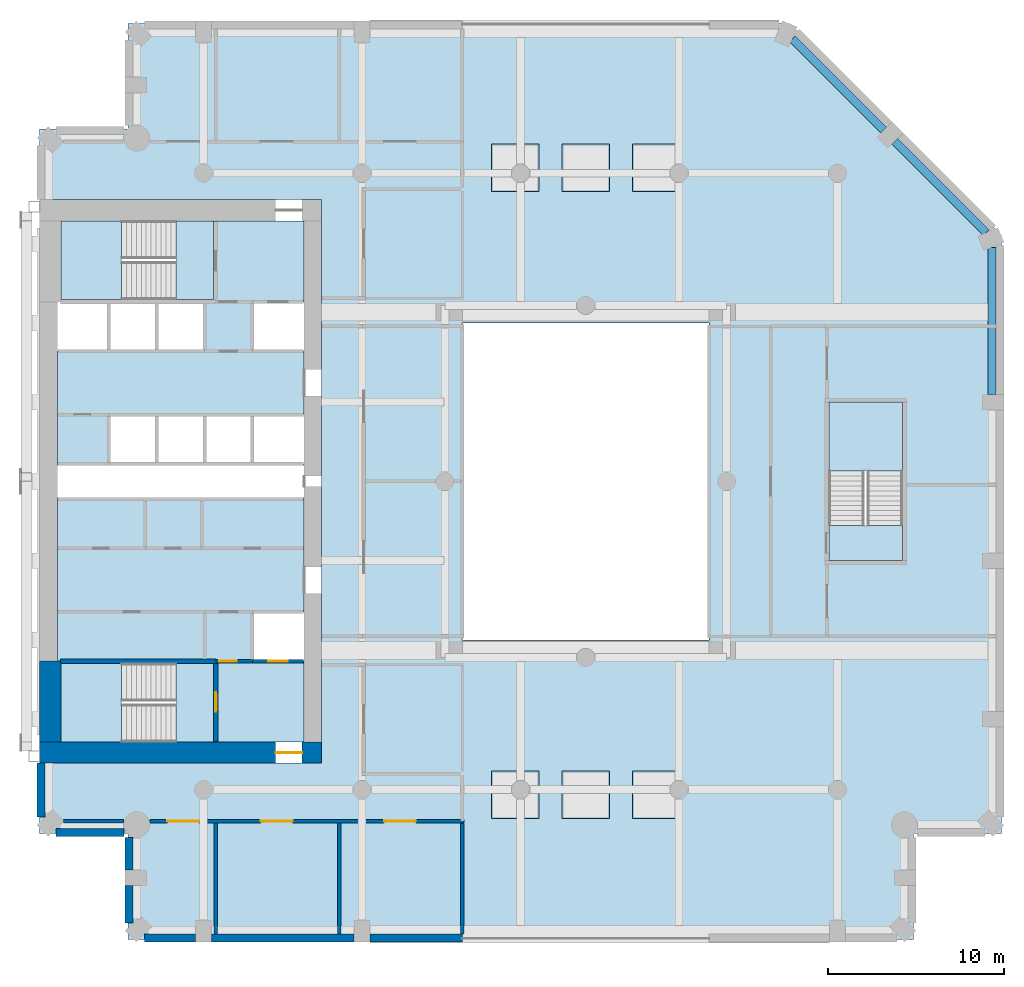
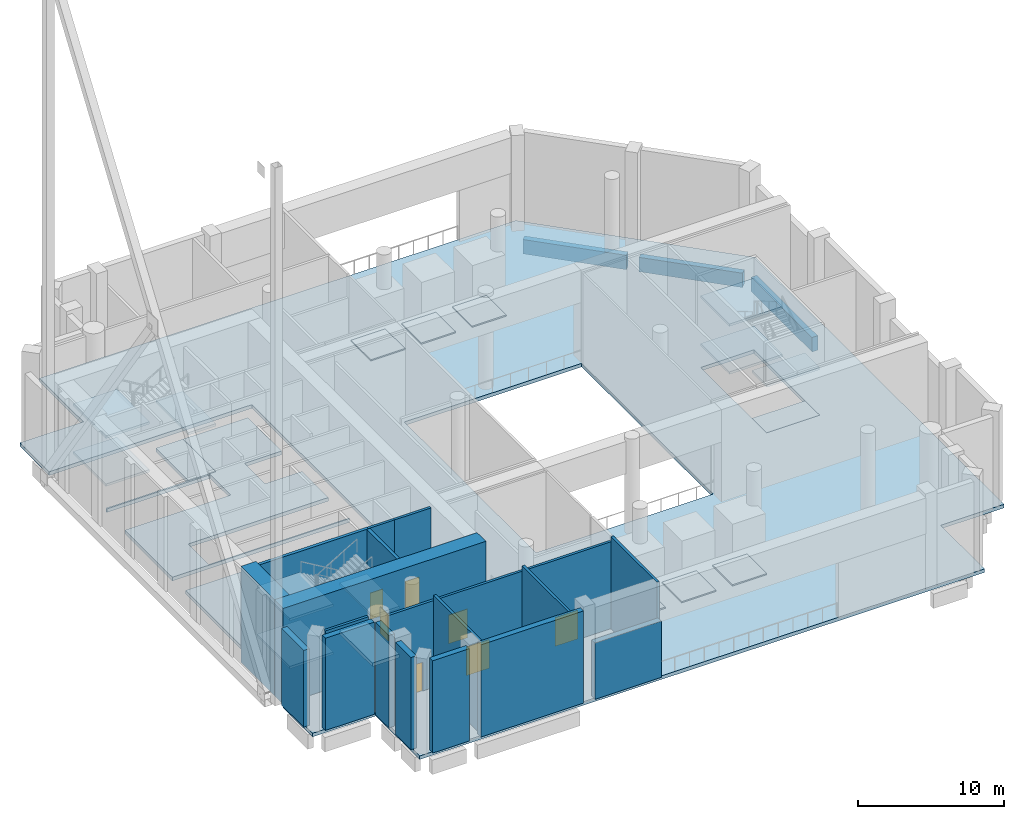
# One storey, part 2 of 14: 18 walls, 15 slabs, 7 doors, 6 plates, 3 beams, 7 openings, 3 elements without a shape of their own.
"""IFC4 building model written with IfcOpenShell, lengths in metres."""

import ifcopenshell
import ifcopenshell.guid

model = None  # the IFC model being written
_history = None  # IfcOwnerHistory: only IFC2X3 demands one
_inside = {}  # id of a spatial element -> (the spatial element, [elements in it])
_under = {}  # id of a project, library or spatial element -> (it, [spatial elements below it])
_declared = {}  # id of a project -> (the project, [libraries it declares])
_typed = {}  # id of a type object -> (the type object, [elements of that type])
_made_of = {}  # id of a material, layer set ... -> (it, [elements and type objects made of it])


def new_model(schema):
    """Start an empty IFC model of exactly this schema.

    Asked for "IFC4X3", IfcOpenShell would pick the latest addendum, in which some entities
    have other attributes; the version numbers below select the first issue.
    IFC2X3 requires an IfcOwnerHistory on every rooted entity: one is made here for all.
    """
    global model, _history
    if schema == "IFC4X3":
        model = ifcopenshell.file(schema_version=(4, 3, 0, 0))
    else:
        model = ifcopenshell.file(schema=schema)
    _inside.clear()
    _under.clear()
    _declared.clear()
    _typed.clear()
    _made_of.clear()
    _history = None
    if model.schema == "IFC2X3":
        org = make("IfcOrganization", Name="unknown")
        user = make(
            "IfcPersonAndOrganization",
            ThePerson=make("IfcPerson", FamilyName="unknown"),
            TheOrganization=org,
        )
        app = make(
            "IfcApplication",
            ApplicationDeveloper=org,
            Version="unknown",
            ApplicationFullName="unknown",
            ApplicationIdentifier="unknown",
        )
        _history = make(
            "IfcOwnerHistory",
            OwningUser=user,
            OwningApplication=app,
            ChangeAction="ADDED",
            CreationDate=0,
        )
    return model


def make(cls, **values):
    """One entity of the class cls with the attributes given. An attribute that is None is left unset."""
    return model.create_entity(
        cls, **{name: value for name, value in values.items() if value is not None}
    )


def rooted(cls, **values):
    """An entity with a GlobalId (a new one), such as an element, a storey or a relation."""
    return make(cls, GlobalId=ifcopenshell.guid.new(), OwnerHistory=_history, **values)


def si_unit(unit_type, name, prefix=None):
    """IfcSIUnit, for example si_unit("LENGTHUNIT", "METRE", prefix="MILLI")."""
    return make("IfcSIUnit", UnitType=unit_type, Prefix=prefix, Name=name)


def assignment(units):
    """IfcUnitAssignment: the units of a project."""
    return None if units is None else make("IfcUnitAssignment", Units=units)


def point(xyz):
    """IfcCartesianPoint."""
    return None if xyz is None else make("IfcCartesianPoint", Coordinates=xyz)


def direction(xyz):
    """IfcDirection."""
    return None if xyz is None else make("IfcDirection", DirectionRatios=xyz)


def frame(location, z_axis=None, x_axis=None):
    """IfcAxis2Placement3D, a coordinate frame: its origin and axes. An axis left out is left unset."""
    return make(
        "IfcAxis2Placement3D",
        Location=point(location),
        Axis=direction(z_axis),
        RefDirection=direction(x_axis),
    )


def frame_2d(location, x_axis=None):
    """IfcAxis2Placement2D, a coordinate frame in the plane: its origin and x axis."""
    return make(
        "IfcAxis2Placement2D", Location=point(location), RefDirection=direction(x_axis)
    )


def origin():
    """The frame at (0, 0, 0) with its axes left unset."""
    return frame((0.0, 0.0, 0.0))


def origin_2d():
    """The frame at (0, 0) in the plane with its x axis left unset."""
    return frame_2d((0.0, 0.0))


def place(relative_to, where):
    """IfcLocalPlacement: puts the frame where relative to a parent placement (None: the world)."""
    return make(
        "IfcLocalPlacement", PlacementRelTo=relative_to, RelativePlacement=where
    )


def context(
    kind, dimensions, precision=None, world=None, true_north=None, identifier=None
):
    """IfcGeometricRepresentationContext, for example the 3D "Model" context."""
    return make(
        "IfcGeometricRepresentationContext",
        ContextIdentifier=identifier,
        ContextType=kind,
        CoordinateSpaceDimension=dimensions,
        Precision=precision,
        WorldCoordinateSystem=world,
        TrueNorth=true_north,
    )


def subcontext(parent, identifier, kind, view, scale=None):
    """IfcGeometricRepresentationSubContext, for example "Body" below "Model"."""
    return make(
        "IfcGeometricRepresentationSubContext",
        ContextIdentifier=identifier,
        ContextType=kind,
        ParentContext=parent,
        TargetScale=scale,
        TargetView=view,
    )


def project(units=None, contexts=None):
    """IfcProject with its units and contexts."""
    return rooted(
        "IfcProject",
        Name="project",
        RepresentationContexts=contexts,
        UnitsInContext=assignment(units),
    )


def spatial(cls, under=None, at=None, **own):
    """A site, building, storey or space (cls), placed at a placement, below another one or the project."""
    s = rooted(cls, ObjectPlacement=at, **own)
    if under is not None:
        _under.setdefault(under.id(), (under, []))[1].append(s)
    return s


def polyline(points):
    """IfcPolyline through the points."""
    return make("IfcPolyline", Points=[point(p) for p in points])


def profile(cls, at=None, kind="AREA", **sizes):
    """A parametric profile (cls). Its sizes go by their IFC names, for example OverallWidth=200.0."""
    return make(cls, ProfileType=kind, Position=at, **sizes)


def rectangle(**sizes):
    """IfcRectangleProfileDef."""
    return profile("IfcRectangleProfileDef", **sizes)


def outline(outer, holes=None, kind="AREA"):
    """IfcArbitraryClosedProfileDef: a profile drawn as a closed curve; with holes, ...WithVoids."""
    if holes is None:
        return make("IfcArbitraryClosedProfileDef", ProfileType=kind, OuterCurve=outer)
    return make(
        "IfcArbitraryProfileDefWithVoids",
        ProfileType=kind,
        OuterCurve=outer,
        InnerCurves=holes,
    )


def extrude(swept, where, along, depth):
    """IfcExtrudedAreaSolid: the profile swept, set in the frame where, extruded along a direction by depth."""
    return make(
        "IfcExtrudedAreaSolid",
        SweptArea=swept,
        Position=where,
        ExtrudedDirection=direction(along),
        Depth=depth,
    )


def shape(context_of_items, identifier, shape_type, items):
    """IfcShapeRepresentation: the items that make up one representation, for example the "Body"."""
    return make(
        "IfcShapeRepresentation",
        ContextOfItems=context_of_items,
        RepresentationIdentifier=identifier,
        RepresentationType=shape_type,
        Items=items,
    )


def material(Name=None, Category=None):
    """IfcMaterial."""
    return make("IfcMaterial", Name=Name, Category=Category)


def layer(
    of_material, thickness, ventilated=None, Name=None, Category=None, Priority=None
):
    """IfcMaterialLayer: one layer of a wall or slab, of a material (None: an air gap)."""
    return make(
        "IfcMaterialLayer",
        Material=of_material,
        LayerThickness=thickness,
        IsVentilated=ventilated,
        Name=Name,
        Category=Category,
        Priority=Priority,
    )


def layer_set(layers, Name=None):
    """IfcMaterialLayerSet."""
    return make("IfcMaterialLayerSet", MaterialLayers=layers, LayerSetName=Name)


def material_profile(
    of_material, cross_section, Name=None, Category=None, Priority=None
):
    """IfcMaterialProfile: a cross section and its material."""
    return make(
        "IfcMaterialProfile",
        Name=Name,
        Material=of_material,
        Profile=cross_section,
        Priority=Priority,
        Category=Category,
    )


def profile_set(profiles, Name=None, composite=None):
    """IfcMaterialProfileSet."""
    return make(
        "IfcMaterialProfileSet",
        Name=Name,
        MaterialProfiles=profiles,
        CompositeProfile=composite,
    )


def made_of(thing, what):
    """Note that an element or type object is made of a material, layer set ...; save() writes the relation."""
    if what is not None:
        _made_of.setdefault(what.id(), (what, []))[1].append(thing)
    return thing


def type_object(cls, material=None, **own):
    """A type object (cls), such as IfcWallType, which elements share."""
    return made_of(rooted(cls, **own), material)


def element(
    cls,
    number,
    at=None,
    inside=None,
    cuts=None,
    type_object=None,
    material=None,
    context=None,
    identifier="Body",
    shape_type=None,
    held_by="IfcProductDefinitionShape",
    body=None,
    shapes=None,
    **own,
):
    """One element of the class cls, such as IfcWall. Its Tag is "e" and its number.

    at: its placement. inside: the storey or other place that contains it. cuts: it is an
    opening in that element (IfcRelVoidsElement). A single representation is given by context,
    identifier, shape_type and body (its items); several are given by shapes. held_by: the class
    of the entity that holds the representations. save() writes the other relations.
    """
    e = rooted(cls, Tag="e%d" % number, ObjectPlacement=at, **own)
    if body is not None:
        shapes = [shape(context, identifier, shape_type, body)]
    if shapes is not None:
        e.Representation = make(held_by, Representations=shapes)
    if inside is not None:
        _inside.setdefault(inside.id(), (inside, []))[1].append(e)
    if cuts is not None:
        rooted(
            "IfcRelVoidsElement", RelatingBuildingElement=cuts, RelatedOpeningElement=e
        )
    if type_object is not None:
        _typed.setdefault(type_object.id(), (type_object, []))[1].append(e)
    return made_of(e, material)


def fill(opening, filler):
    """IfcRelFillsElement: the door or window that sits in an opening."""
    return rooted(
        "IfcRelFillsElement",
        RelatingOpeningElement=opening,
        RelatedBuildingElement=filler,
    )


def aggregate(whole, parts):
    """IfcRelAggregates: a whole, such as a stair, and the parts it consists of."""
    return rooted("IfcRelAggregates", RelatingObject=whole, RelatedObjects=parts)


def save(model, path):
    """Write the relations noted so far, then the file.

    IfcRelAggregates (storeys below a building ...), IfcRelContainedInSpatialStructure (elements
    in a storey), IfcRelDefinesByType, IfcRelAssociatesMaterial and IfcRelDeclares: one each for
    every whole, place, type object, material and project.
    """
    for whole, parts in _under.values():
        aggregate(whole, parts)
    for where, things in _inside.values():
        rooted(
            "IfcRelContainedInSpatialStructure",
            RelatedElements=things,
            RelatingStructure=where,
        )
    for kind, things in _typed.values():
        rooted("IfcRelDefinesByType", RelatedObjects=things, RelatingType=kind)
    for what, things in _made_of.values():
        rooted("IfcRelAssociatesMaterial", RelatedObjects=things, RelatingMaterial=what)
    for by, libraries in _declared.values():
        rooted("IfcRelDeclares", RelatingContext=by, RelatedDefinitions=libraries)
    model.write(path)


model = new_model("IFC4")

# Units and contexts
model_context = context("Model", 3, precision=1e-05, world=origin(), true_north=direction((0.0, 1.0)))
body_context = subcontext(model_context, "Body", "Model", "MODEL_VIEW")
ifc_project = project(units=[si_unit("LENGTHUNIT", "METRE"), si_unit("AREAUNIT", "SQUARE_METRE"), si_unit("VOLUMEUNIT", "CUBIC_METRE"), si_unit("PLANEANGLEUNIT", "RADIAN"), si_unit("MASSUNIT", "GRAM", prefix="KILO")], contexts=[model_context])

# Site, building, storey
site_placement = place(None, origin())
site = spatial("IfcSite", under=ifc_project, at=site_placement, CompositionType="ELEMENT")
building_placement = place(site_placement, origin())
building = spatial("IfcBuilding", under=site, at=building_placement, Name="Cypress Arch Tower", CompositionType="ELEMENT")
storey_placement = place(building_placement, frame((0.0, 0.0, 152.5)))
storey = spatial("IfcBuildingStorey", under=building, at=storey_placement, Name="L33", CompositionType="ELEMENT", Elevation=152.5)

# Beams
ifc_material_1 = material(Name="Concrete C50/60", Category="concrete")
ifc_material_profile = material_profile(ifc_material_1, rectangle(XDim=0.449951171875, YDim=1.199951171875, at=origin_2d()), Name="RC 450x1200")
ifc_profile_set = profile_set([ifc_material_profile], Name="Concrete C50/60")
beam_type = type_object("IfcBeamType", Name="Spandrel beam RC 450x1200 Concrete C50/60", PredefinedType="SPANDREL", material=ifc_profile_set)
beam_placement = place(storey_placement, frame((24.074951171875, 4.949951171875, -1.550048828125), z_axis=(0.0, 1.0, 0.0), x_axis=(-1.0, 0.0, 0.0)))
element("IfcBeam", 1, at=beam_placement, inside=storey, type_object=beam_type, Name="Spandrel beam L33 BA06-3", PredefinedType="SPANDREL", context=body_context, shape_type="SweptSolid", body=[
    extrude(rectangle(XDim=0.449951171875, YDim=1.199951171875, at=origin_2d()), origin(), (0.0, 0.0, 1.0), 8.345458984375),
])
for number, where, z_axis, x_axis, name in (
    (2, (23.73046875, 14.126953125, -1.550048828125), (-0.707106781187, 0.707106781187, 0.0), (-0.707106781187, -0.707106781187, 0.0), "Spandrel beam L33 BA07-0"),
    (3, (17.91064453125, 19.947021484375, -1.550048828125), (-0.707106781187, 0.707106781187, 0.0), (-0.707106781187, -0.707106781187, 0.0), "Spandrel beam L33 BA07-1"),
):
    element("IfcBeam", number, at=place(storey_placement, frame(where, z_axis=z_axis, x_axis=x_axis)), inside=storey, type_object=beam_type, Name=name, PredefinedType="SPANDREL", context=body_context, shape_type="SweptSolid", body=[
        extrude(rectangle(XDim=0.449951171875, YDim=1.199951171875, at=origin_2d()), origin(), (0.0, 0.0, 1.0), 7.330810546875),
    ])

# Slabs
ifc_material_2 = material(Name="Concrete C40/50", Category="concrete")
ifc_layer_1 = layer(ifc_material_2, 0.300048828125)
ifc_layer_set_1 = layer_set([ifc_layer_1], Name="Core floor CF300")
slab_type_1 = type_object("IfcSlabType", Name="Core floor CF300", PredefinedType="FLOOR", material=ifc_layer_set_1)
slab_1_placement = place(storey_placement, frame((0.0, 0.0, -0.300048828125)))
element("IfcSlab", 4, at=slab_1_placement, inside=storey, type_object=slab_type_1, Name="Core floor", PredefinedType="FLOOR", context=body_context, shape_type="SweptSolid", body=[
    extrude(outline(polyline([(-28.800048828125, -10.199951171875), (-29.0, -10.199951171875), (-29.0, -0.89990234375), (-28.60009765625, -0.89990234375), (-15.39990234375, -0.89990234375), (-15.0, -0.89990234375), (-15.0, -7.39990234375), (-15.39990234375, -7.39990234375), (-17.919921875, -7.39990234375), (-17.919921875, -10.199951171875), (-15.39990234375, -10.199951171875), (-15.0, -10.199951171875), (-15.0, -14.800048828125), (-15.39990234375, -14.800048828125), (-20.125, -14.800048828125), (-20.125, -10.324951171875), (-22.27490234375, -10.324951171875), (-28.60009765625, -10.324951171875), (-28.800048828125, -10.324951171875), (-28.800048828125, -10.199951171875)])), origin(), (0.0, 0.0, 1.0), 0.300048828125),
])
slab_2_placement = place(storey_placement, frame((0.0, 0.0, -0.300048828125)))
element("IfcSlab", 5, at=slab_2_placement, inside=storey, type_object=slab_type_1, Name="Core floor", PredefinedType="FLOOR", context=body_context, shape_type="SweptSolid", body=[
    extrude(outline(polyline([(-22.27490234375, -10.324951171875), (-22.27490234375, -14.800048828125), (-20.125, -14.800048828125), (-20.125, -10.324951171875), (-22.27490234375, -10.324951171875)])), origin(), (0.0, 0.0, 1.0), 0.300048828125),
])
slab_3_placement = place(storey_placement, frame((0.0, 0.0, -0.300048828125)))
element("IfcSlab", 6, at=slab_3_placement, inside=storey, type_object=slab_type_1, Name="Core floor", PredefinedType="FLOOR", context=body_context, shape_type="SweptSolid", body=[
    extrude(outline(polyline([(-20.125, 14.800048828125), (-22.27490234375, 14.800048828125), (-22.27490234375, 10.324951171875), (-20.125, 10.324951171875), (-20.125, 14.800048828125)])), origin(), (0.0, 0.0, 1.0), 0.300048828125),
])
slab_4_placement = place(storey_placement, frame((0.0, 0.0, -0.300048828125)))
element("IfcSlab", 7, at=slab_4_placement, inside=storey, type_object=slab_type_1, Name="Stair floor landing", PredefinedType="FLOOR", context=body_context, shape_type="SweptSolid", body=[
    extrude(outline(polyline([(19.0, -4.5), (19.0, -2.5), (14.800048828125, -2.5), (14.800048828125, -4.5), (19.0, -4.5)])), origin(), (0.0, 0.0, 1.0), 0.300048828125),
])
slab_5_placement = place(storey_placement, frame((0.0, 0.0, -0.300048828125)))
element("IfcSlab", 8, at=slab_5_placement, inside=storey, type_object=slab_type_1, Name="Core floor", PredefinedType="FLOOR", context=body_context, shape_type="SweptSolid", body=[
    extrude(outline(polyline([(-20.639892578125, 10.199951171875), (-23.360107421875, 10.199951171875), (-26.080078125, 10.199951171875), (-28.60009765625, 10.199951171875), (-28.800048828125, 10.199951171875), (-28.800048828125, 10.324951171875), (-28.60009765625, 10.324951171875), (-22.27490234375, 10.324951171875), (-20.125, 10.324951171875), (-20.125, 14.800048828125), (-15.39990234375, 14.800048828125), (-15.0, 14.800048828125), (-15.0, 10.199951171875), (-15.39990234375, 10.199951171875), (-17.919921875, 10.199951171875), (-17.919921875, 7.39990234375), (-15.39990234375, 7.39990234375), (-15.0, 7.39990234375), (-15.0, 3.800048828125), (-15.39990234375, 3.800048828125), (-17.919921875, 3.800048828125), (-20.639892578125, 3.800048828125), (-23.360107421875, 3.800048828125), (-26.080078125, 3.800048828125), (-26.080078125, 1.5), (-26.080078125, 1.0), (-25.679931640625, 1.0), (-23.360107421875, 1.0), (-20.639892578125, 1.0), (-17.919921875, 1.0), (-15.39990234375, 1.0), (-15.0, 1.0), (-15.0, 0.89990234375), (-15.39990234375, 0.89990234375), (-25.679931640625, 0.89990234375), (-26.47998046875, 0.89990234375), (-28.60009765625, 0.89990234375), (-29.0, 0.89990234375), (-29.0, 1.5), (-29.0, 7.39990234375), (-28.60009765625, 7.39990234375), (-26.080078125, 7.39990234375), (-23.360107421875, 7.39990234375), (-20.639892578125, 7.39990234375), (-20.639892578125, 10.199951171875)])), origin(), (0.0, 0.0, 1.0), 0.300048828125),
])
ifc_material_3 = material(Name="Concrete C40/50", Category="concrete")
ifc_layer_2 = layer(ifc_material_3, 0.300048828125)
ifc_layer_set_2 = layer_set([ifc_layer_2], Name="PT flat slab 300 Concrete C40/50")
slab_type_2 = type_object("IfcSlabType", Name="PT flat slab 300 Concrete C40/50", PredefinedType="FLOOR", material=ifc_layer_set_2)
slab_6_placement = place(storey_placement, frame((0.0, 0.0, -0.300048828125)))
element("IfcSlab", 9, at=slab_6_placement, inside=storey, type_object=slab_type_2, Name="Floor slab L33", PredefinedType="FLOOR", context=body_context, shape_type="SweptSolid", body=[
    extrude(outline(polyline([(-30.0, 20.0), (-25.0, 20.0), (-25.0, 26.0), (12.60009765625, 26.0), (24.60009765625, 14.0), (24.60009765625, -20.0), (19.60009765625, -20.0), (19.60009765625, -26.0), (-25.0, -26.0), (-25.0, -20.0), (-30.0, -20.0), (-30.0, -16.0), (-14.0, -16.0), (-14.0, 16.0), (-30.0, 16.0), (-30.0, 20.0)]), holes=[polyline([(-6.0, -9.0), (8.0, -9.0), (8.0, 9.0), (-6.0, 9.0), (-6.0, -9.0)]), polyline([(14.800048828125, -4.5), (19.0, -4.5), (19.0, 4.5), (14.800048828125, 4.5), (14.800048828125, -4.5)])]), origin(), (0.0, 0.0, 1.0), 0.300048828125),
])

# Stair, slabs
ifc_material_4 = material(Name="Concrete C40/50", Category="concrete")
stair_type_1 = type_object("IfcStairType", Name="Exit stair ES1667-215", PredefinedType="HALF_TURN_STAIR", material=ifc_material_4)
stair_1_placement = place(storey_placement, origin())
stair_1 = element("IfcStair", 10, at=stair_1_placement, inside=storey, type_object=stair_type_1, Name="L33 Exit stair A", PredefinedType="HALF_TURN_STAIR")
ifc_material_5 = material(Name="Concrete C40/50", Category="concrete")
ifc_layer_3 = layer(ifc_material_5, 0.199951171875)
ifc_layer_set_3 = layer_set([ifc_layer_3], Name="Stair landing SL200")
slab_type_3 = type_object("IfcSlabType", Name="Stair landing SL200", PredefinedType="LANDING", material=ifc_layer_set_3)
slab_7_placement = place(storey_placement, frame((0.0, 0.0, 1.800048828125)))
slab_7 = element("IfcSlab", 11, at=slab_7_placement, type_object=slab_type_3, Name="A landing 1", PredefinedType="LANDING", context=body_context, shape_type="SweptSolid", body=[
    extrude(outline(polyline([(-25.35498046875, -10.324951171875), (-28.800048828125, -10.324951171875), (-28.800048828125, -14.800048828125), (-25.35498046875, -14.800048828125), (-25.35498046875, -10.324951171875)])), origin(), (0.0, 0.0, 1.0), 0.199951171875),
])
slab_8_placement = place(storey_placement, frame((0.0, 0.0, 3.800048828125)))
slab_8 = element("IfcSlab", 12, at=slab_8_placement, type_object=slab_type_3, Name="A landing 2", PredefinedType="LANDING", context=body_context, shape_type="SweptSolid", body=[
    extrude(outline(polyline([(-20.125, -10.324951171875), (-22.27490234375, -10.324951171875), (-22.27490234375, -14.800048828125), (-20.125, -14.800048828125), (-20.125, -10.324951171875)])), origin(), (0.0, 0.0, 1.0), 0.199951171875),
])
slab_9_placement = place(storey_placement, frame((0.0, 0.0, 5.800048828125)))
slab_9 = element("IfcSlab", 13, at=slab_9_placement, type_object=slab_type_3, Name="A landing 3", PredefinedType="LANDING", context=body_context, shape_type="SweptSolid", body=[
    extrude(outline(polyline([(-25.35498046875, -10.324951171875), (-28.800048828125, -10.324951171875), (-28.800048828125, -14.800048828125), (-25.35498046875, -14.800048828125), (-25.35498046875, -10.324951171875)])), origin(), (0.0, 0.0, 1.0), 0.199951171875),
])
aggregate(stair_1, [slab_7, slab_8, slab_9])

stair_2_placement = place(storey_placement, origin())
stair_2 = element("IfcStair", 14, at=stair_2_placement, inside=storey, type_object=stair_type_1, Name="L33 Exit stair B", PredefinedType="HALF_TURN_STAIR")
slab_10_placement = place(storey_placement, frame((0.0, 0.0, 1.800048828125)))
slab_10 = element("IfcSlab", 15, at=slab_10_placement, type_object=slab_type_3, Name="B landing 1", PredefinedType="LANDING", context=body_context, shape_type="SweptSolid", body=[
    extrude(outline(polyline([(-25.35498046875, 14.800048828125), (-28.800048828125, 14.800048828125), (-28.800048828125, 10.324951171875), (-25.35498046875, 10.324951171875), (-25.35498046875, 14.800048828125)])), origin(), (0.0, 0.0, 1.0), 0.199951171875),
])
slab_11_placement = place(storey_placement, frame((0.0, 0.0, 3.800048828125)))
slab_11 = element("IfcSlab", 16, at=slab_11_placement, type_object=slab_type_3, Name="B landing 2", PredefinedType="LANDING", context=body_context, shape_type="SweptSolid", body=[
    extrude(outline(polyline([(-20.125, 14.800048828125), (-22.27490234375, 14.800048828125), (-22.27490234375, 10.324951171875), (-20.125, 10.324951171875), (-20.125, 14.800048828125)])), origin(), (0.0, 0.0, 1.0), 0.199951171875),
])
slab_12_placement = place(storey_placement, frame((0.0, 0.0, 5.800048828125)))
slab_12 = element("IfcSlab", 17, at=slab_12_placement, type_object=slab_type_3, Name="B landing 3", PredefinedType="LANDING", context=body_context, shape_type="SweptSolid", body=[
    extrude(outline(polyline([(-25.35498046875, 14.800048828125), (-28.800048828125, 14.800048828125), (-28.800048828125, 10.324951171875), (-25.35498046875, 10.324951171875), (-25.35498046875, 14.800048828125)])), origin(), (0.0, 0.0, 1.0), 0.199951171875),
])
aggregate(stair_2, [slab_10, slab_11, slab_12])

ifc_material_6 = material(Name="Concrete C40/50", Category="concrete")
stair_type_2 = type_object("IfcStairType", Name="Exit stair ES1667-200", PredefinedType="HALF_TURN_STAIR", material=ifc_material_6)
stair_3_placement = place(storey_placement, origin())
stair_3 = element("IfcStair", 18, at=stair_3_placement, inside=storey, type_object=stair_type_2, Name="L33 Exit stair C", PredefinedType="HALF_TURN_STAIR")
slab_13_placement = place(storey_placement, frame((0.0, 0.0, 1.800048828125)))
slab_13 = element("IfcSlab", 19, at=slab_13_placement, type_object=slab_type_3, Name="C landing 1", PredefinedType="LANDING", context=body_context, shape_type="SweptSolid", body=[
    extrude(outline(polyline([(19.0, 0.580078125), (19.0, 4.5), (14.800048828125, 4.5), (14.800048828125, 0.580078125), (19.0, 0.580078125)])), origin(), (0.0, 0.0, 1.0), 0.199951171875),
])
slab_14_placement = place(storey_placement, frame((0.0, 0.0, 3.800048828125)))
slab_14 = element("IfcSlab", 20, at=slab_14_placement, type_object=slab_type_3, Name="C landing 2", PredefinedType="LANDING", context=body_context, shape_type="SweptSolid", body=[
    extrude(outline(polyline([(19.0, -4.5), (19.0, -2.5), (14.800048828125, -2.5), (14.800048828125, -4.5), (19.0, -4.5)])), origin(), (0.0, 0.0, 1.0), 0.199951171875),
])
slab_15_placement = place(storey_placement, frame((0.0, 0.0, 5.800048828125)))
slab_15 = element("IfcSlab", 21, at=slab_15_placement, type_object=slab_type_3, Name="C landing 3", PredefinedType="LANDING", context=body_context, shape_type="SweptSolid", body=[
    extrude(outline(polyline([(19.0, 0.580078125), (19.0, 4.5), (14.800048828125, 4.5), (14.800048828125, 0.580078125), (19.0, 0.580078125)])), origin(), (0.0, 0.0, 1.0), 0.199951171875),
])
aggregate(stair_3, [slab_13, slab_14, slab_15])

# Plates
ifc_material_7 = material(Name="Steel ASTM A572 Grade 50, galvanised", Category="steel")
ifc_layer_4 = layer(ifc_material_7, 0.10009765625)
ifc_layer_set_4 = layer_set([ifc_layer_4], Name="Turbine base plate TP2700")
plate_type = type_object("IfcPlateType", Name="Turbine base plate TP2700", PredefinedType="SHEET", material=ifc_layer_set_4)
for number, where, z_axis, x_axis, name in (
    (22, (-3.0, -17.800048828125, 0.0), (0.0, 0.0, 1.0), (1.0, 0.0, 0.0), "Turbine base plate S1"),
    (23, (1.0, -17.800048828125, 0.0), (0.0, 0.0, 1.0), (1.0, 0.0, 0.0), "Turbine base plate S2"),
    (24, (5.0, -17.800048828125, 0.0), (0.0, 0.0, 1.0), (1.0, 0.0, 0.0), "Turbine base plate S3"),
    (25, (-3.0, 17.800048828125, 0.0), (0.0, 0.0, 1.0), (1.0, 0.0, 0.0), "Turbine base plate N1"),
    (26, (1.0, 17.800048828125, 0.0), (0.0, 0.0, 1.0), (1.0, 0.0, 0.0), "Turbine base plate N2"),
    (27, (5.0, 17.800048828125, 0.0), (0.0, 0.0, 1.0), (1.0, 0.0, 0.0), "Turbine base plate N3"),
):
    element("IfcPlate", number, at=place(storey_placement, frame(where, z_axis=z_axis, x_axis=x_axis)), inside=storey, type_object=plate_type, Name=name, PredefinedType="SHEET", context=body_context, shape_type="SweptSolid", body=[
        extrude(rectangle(XDim=2.699951171875, YDim=2.699951171875, at=origin_2d()), origin(), (0.0, 0.0, 1.0), 0.10009765625),
    ])

# Walls
ifc_material_8 = material(Name="Brick (red buff blend)", Category="masonry")
ifc_layer_5 = layer(ifc_material_8, 0.449951171875)
ifc_layer_set_5 = layer_set([ifc_layer_5], Name="Brick belt wall BW450-B")
wall_type_1 = type_object("IfcWallType", Name="Brick belt wall BW450-B", PredefinedType="SOLIDWALL", material=ifc_layer_set_5)
wall_1_placement = place(storey_placement, frame((-29.925048828125, -16.0, 0.0), z_axis=(0.0, 0.0, 1.0), x_axis=(0.0, -1.0, 0.0)))
element("IfcWall", 28, at=wall_1_placement, inside=storey, type_object=wall_type_1, Name="Brick wall L33 A00.0.1", PredefinedType="SOLIDWALL", context=body_context, shape_type="SweptSolid", body=[
    extrude(rectangle(XDim=3.063720703125, YDim=0.449951171875, at=frame_2d((1.53173828125, 0.0))), origin(), (0.0, 0.0, 1.0), 6.39990234375),
])
wall_2_placement = place(storey_placement, frame((-29.063720703125, -19.925048828125, 0.0), z_axis=(0.0, 0.0, 1.0), x_axis=(1.0, 0.0, 0.0)))
element("IfcWall", 29, at=wall_2_placement, inside=storey, type_object=wall_type_1, Name="Brick wall L33 A01.0", PredefinedType="SOLIDWALL", context=body_context, shape_type="SweptSolid", body=[
    extrude(rectangle(XDim=3.856689453125, YDim=0.449951171875, at=frame_2d((1.92822265625, 0.0))), origin(), (0.0, 0.0, 1.0), 7.699951171875),
])
wall_3_placement = place(storey_placement, frame((-24.925048828125, -20.20703125, 0.0), z_axis=(0.0, 0.0, 1.0), x_axis=(0.0, -1.0, 0.0)))
element("IfcWall", 30, at=wall_3_placement, inside=storey, type_object=wall_type_1, Name="Brick wall L33 A02.0", PredefinedType="SOLIDWALL", context=body_context, shape_type="SweptSolid", body=[
    extrude(rectangle(XDim=1.843017578125, YDim=0.449951171875, at=frame_2d((0.92138671875, 0.0))), origin(), (0.0, 0.0, 1.0), 7.699951171875),
])
wall_4_placement = place(storey_placement, frame((-24.925048828125, -22.949951171875, 0.0), z_axis=(0.0, 0.0, 1.0), x_axis=(0.0, -1.0, 0.0)))
element("IfcWall", 31, at=wall_4_placement, inside=storey, type_object=wall_type_1, Name="Brick wall L33 A02.1", PredefinedType="SOLIDWALL", context=body_context, shape_type="SweptSolid", body=[
    extrude(rectangle(XDim=2.11376953125, YDim=0.449951171875, at=frame_2d((1.056884765625, 0.0))), origin(), (0.0, 0.0, 1.0), 7.699951171875),
])
wall_5_placement = place(storey_placement, frame((-24.063720703125, -25.925048828125, 0.0), z_axis=(0.0, 0.0, 1.0), x_axis=(1.0, 0.0, 0.0)))
element("IfcWall", 32, at=wall_5_placement, inside=storey, type_object=wall_type_1, Name="Brick wall L33 A03.0", PredefinedType="SOLIDWALL", context=body_context, shape_type="SweptSolid", body=[
    extrude(rectangle(XDim=2.913818359375, YDim=0.449951171875, at=frame_2d((1.45703125, 0.0))), origin(), (0.0, 0.0, 1.0), 7.699951171875),
])
wall_6_placement = place(storey_placement, frame((-20.25, -25.925048828125, 0.0), z_axis=(0.0, 0.0, 1.0), x_axis=(1.0, 0.0, 0.0)))
element("IfcWall", 33, at=wall_6_placement, inside=storey, type_object=wall_type_1, Name="Brick wall L33 A03.1", PredefinedType="SOLIDWALL", context=body_context, shape_type="SweptSolid", body=[
    extrude(rectangle(XDim=8.10009765625, YDim=0.449951171875, at=frame_2d((4.050048828125, 0.0))), origin(), (0.0, 0.0, 1.0), 7.699951171875),
])
wall_7_placement = place(storey_placement, frame((-11.25, -25.925048828125, 0.0), z_axis=(0.0, 0.0, 1.0), x_axis=(1.0, 0.0, 0.0)))
element("IfcWall", 34, at=wall_7_placement, inside=storey, type_object=wall_type_1, Name="Brick wall L33 A03.2", PredefinedType="SOLIDWALL", context=body_context, shape_type="SweptSolid", body=[
    extrude(rectangle(XDim=5.25, YDim=0.449951171875, at=frame_2d((2.625, 0.0))), origin(), (0.0, 0.0, 1.0), 4.699951171875),
])

# Wall, opening, door
ifc_material_9 = material(Name="Concrete C80/95", Category="concrete")
ifc_layer_6 = layer(ifc_material_9, 1.199951171875)
ifc_layer_set_6 = layer_set([ifc_layer_6], Name="Core wall CW1200 C80/95")
wall_type_2 = type_object("IfcWallType", Name="Core wall CW1200 C80/95", PredefinedType="SHEAR", material=ifc_layer_set_6)
wall_8_placement = place(storey_placement, frame((-30.0, -15.39990234375, 0.0), z_axis=(0.0, 0.0, 1.0), x_axis=(1.0, 0.0, 0.0)))
wall_8 = element("IfcWall", 35, at=wall_8_placement, inside=storey, type_object=wall_type_2, Name="Core wall", PredefinedType="SHEAR", context=body_context, shape_type="SweptSolid", body=[
    extrude(rectangle(XDim=16.0, YDim=1.199951171875, at=frame_2d((8.0, 0.0))), origin(), (0.0, 0.0, 1.0), 8.0),
])
opening_1_placement = place(wall_8_placement, frame((13.39990234375, 0.0, 0.0)))
opening_1 = element("IfcOpeningElement", 36, at=opening_1_placement, cuts=wall_8, Name="Opening D07", PredefinedType="OPENING", context=body_context, shape_type="SweptSolid", body=[
    extrude(rectangle(XDim=1.5, YDim=2.39990234375, at=frame_2d((0.75, 1.199951171875))), frame((0.0, 0.60986328125, 0.0), z_axis=(0.0, -1.0, 0.0), x_axis=(1.0, 0.0, 0.0)), (0.0, 0.0, 1.0), 1.219970703125),
])
ifc_material_10 = material(Name="Steel framed glazed door, fire resisting", Category="steel")
door_type_1 = type_object("IfcDoorType", Name="Lobby door D07 1500x2400", OperationType="DOUBLE_DOOR_SINGLE_SWING", PredefinedType="DOOR", material=ifc_material_10)
door_1_placement = place(opening_1_placement, origin())
door_1 = element("IfcDoor", 37, at=door_1_placement, inside=storey, type_object=door_type_1, Name="Lobby door", OperationType="DOUBLE_DOOR_SINGLE_SWING", OverallHeight=2.39990234375, OverallWidth=1.5, PredefinedType="DOOR", context=body_context, shape_type="SweptSolid", body=[
    extrude(rectangle(XDim=1.5, YDim=2.39990234375, at=frame_2d((0.75, 1.199951171875))), frame((0.0, 0.02490234375, 0.0), z_axis=(0.0, -1.0, 0.0), x_axis=(1.0, 0.0, 0.0)), (0.0, 0.0, 1.0), 0.050048828125),
])
fill(opening_1, door_1)

# Wall
wall_9_placement = place(storey_placement, frame((-29.39990234375, -14.800048828125, 0.0), z_axis=(0.0, 0.0, 1.0), x_axis=(0.0, 1.0, 0.0)))
element("IfcWall", 38, at=wall_9_placement, inside=storey, type_object=wall_type_2, Name="Core wall", PredefinedType="SHEAR", context=body_context, shape_type="SweptSolid", body=[
    extrude(rectangle(XDim=4.60009765625, YDim=1.199951171875, at=frame_2d((2.300048828125, 0.0))), origin(), (0.0, 0.0, 1.0), 8.0),
])

# Wall, opening, door
ifc_material_11 = material(Name="Concrete blockwork, plastered, rated", Category="masonry")
ifc_layer_7 = layer(ifc_material_11, 0.199951171875)
ifc_layer_set_7 = layer_set([ifc_layer_7], Name="Corridor wall FW200")
wall_type_3 = type_object("IfcWallType", Name="Corridor wall FW200", PredefinedType="PARTITIONING", material=ifc_layer_set_7)
wall_10_placement = place(storey_placement, frame((-20.0, -10.199951171875, 0.0), z_axis=(0.0, 0.0, 1.0), x_axis=(1.0, 0.0, 0.0)))
wall_10 = element("IfcWall", 39, at=wall_10_placement, inside=storey, type_object=wall_type_3, Name="Corridor wall", PredefinedType="PARTITIONING", context=body_context, shape_type="SweptSolid", body=[
    extrude(rectangle(XDim=2.080078125, YDim=0.199951171875, at=frame_2d((1.0400390625, 0.0))), origin(), (0.0, 0.0, 1.0), 7.699951171875),
])
opening_2_placement = place(wall_10_placement, frame((0.199951171875, 0.0, 0.0)))
opening_2 = element("IfcOpeningElement", 40, at=opening_2_placement, cuts=wall_10, Name="Opening D16", PredefinedType="OPENING", context=body_context, shape_type="SweptSolid", body=[
    extrude(rectangle(XDim=1.0, YDim=2.199951171875, at=frame_2d((0.5, 1.10009765625))), frame((0.0, 0.10986328125, 0.0), z_axis=(0.0, -1.0, 0.0), x_axis=(1.0, 0.0, 0.0)), (0.0, 0.0, 1.0), 0.219970703125),
])
ifc_material_12 = material(Name="Timber flush door", Category="wood")
door_type_2 = type_object("IfcDoorType", Name="Service door D16 1000x2200", OperationType="SINGLE_SWING_LEFT", PredefinedType="DOOR", material=ifc_material_12)
door_2_placement = place(opening_2_placement, origin())
door_2 = element("IfcDoor", 41, at=door_2_placement, inside=storey, type_object=door_type_2, Name="Service door", OperationType="SINGLE_SWING_RIGHT", OverallHeight=2.199951171875, OverallWidth=1.0, PredefinedType="DOOR", context=body_context, shape_type="SweptSolid", body=[
    extrude(rectangle(XDim=1.0, YDim=2.199951171875, at=frame_2d((0.5, 1.10009765625))), frame((0.0, 0.02490234375, 0.0), z_axis=(0.0, -1.0, 0.0), x_axis=(1.0, 0.0, 0.0)), (0.0, 0.0, 1.0), 0.050048828125),
])
fill(opening_2, door_2)

# Wall
ifc_material_13 = material(Name="Reinforced blockwork, plastered, rated", Category="masonry")
ifc_layer_8 = layer(ifc_material_13, 0.199951171875)
ifc_layer_set_8 = layer_set([ifc_layer_8], Name="Plant and riser wall PL200")
wall_type_4 = type_object("IfcWallType", Name="Plant and riser wall PL200", PredefinedType="PARTITIONING", material=ifc_layer_set_8)
wall_11_placement = place(storey_placement, frame((-28.6435546875, -19.300048828125, 0.0), z_axis=(0.0, 0.0, 1.0), x_axis=(1.0, 0.0, 0.0)))
element("IfcWall", 42, at=wall_11_placement, inside=storey, type_object=wall_type_4, Name="Plant and riser wall", PredefinedType="PARTITIONING", context=body_context, shape_type="SweptSolid", body=[
    extrude(rectangle(XDim=3.41259765625, YDim=0.199951171875, at=frame_2d((1.706298828125, 0.0))), origin(), (0.0, 0.0, 1.0), 7.699951171875),
])

# Wall, openings, doors
wall_12_placement = place(storey_placement, frame((-23.744873046875, -19.300048828125, 0.0), z_axis=(0.0, 0.0, 1.0), x_axis=(1.0, 0.0, 0.0)))
wall_12 = element("IfcWall", 43, at=wall_12_placement, inside=storey, type_object=wall_type_4, Name="Plant and riser wall", PredefinedType="PARTITIONING", context=body_context, shape_type="SweptSolid", body=[
    extrude(rectangle(XDim=17.8447265625, YDim=0.199951171875, at=frame_2d((8.92236328125, 0.0))), origin(), (0.0, 0.0, 1.0), 7.25),
])
opening_3_placement = place(wall_12_placement, frame((1.0, 0.0, 0.0)))
opening_3 = element("IfcOpeningElement", 44, at=opening_3_placement, cuts=wall_12, Name="Opening D09", PredefinedType="OPENING", context=body_context, shape_type="SweptSolid", body=[
    extrude(rectangle(XDim=1.800048828125, YDim=2.39990234375, at=frame_2d((0.89990234375, 1.199951171875))), frame((0.0, 0.10986328125, 0.0), z_axis=(0.0, -1.0, 0.0), x_axis=(1.0, 0.0, 0.0)), (0.0, 0.0, 1.0), 0.219970703125),
])
opening_4_placement = place(wall_12_placement, frame((6.300048828125, 0.0, 0.0)))
opening_4 = element("IfcOpeningElement", 45, at=opening_4_placement, cuts=wall_12, Name="Opening D09", PredefinedType="OPENING", context=body_context, shape_type="SweptSolid", body=[
    extrude(rectangle(XDim=1.800048828125, YDim=2.39990234375, at=frame_2d((0.89990234375, 1.199951171875))), frame((0.0, 0.10986328125, 0.0), z_axis=(0.0, -1.0, 0.0), x_axis=(1.0, 0.0, 0.0)), (0.0, 0.0, 1.0), 0.219970703125),
])
opening_5_placement = place(wall_12_placement, frame((13.300048828125, 0.0, 0.0)))
opening_5 = element("IfcOpeningElement", 46, at=opening_5_placement, cuts=wall_12, Name="Opening D09", PredefinedType="OPENING", context=body_context, shape_type="SweptSolid", body=[
    extrude(rectangle(XDim=1.800048828125, YDim=2.39990234375, at=frame_2d((0.89990234375, 1.199951171875))), frame((0.0, 0.10986328125, 0.0), z_axis=(0.0, -1.0, 0.0), x_axis=(1.0, 0.0, 0.0)), (0.0, 0.0, 1.0), 0.219970703125),
])
ifc_material_14 = material(Name="Steel door, fire resisting", Category="steel")
door_type_3 = type_object("IfcDoorType", Name="Plant room door D09 1800x2400", OperationType="DOUBLE_DOOR_SINGLE_SWING", PredefinedType="DOOR", material=ifc_material_14)
door_3_placement = place(opening_3_placement, origin())
door_3 = element("IfcDoor", 47, at=door_3_placement, inside=storey, type_object=door_type_3, Name="Plant room door", OperationType="DOUBLE_DOOR_SINGLE_SWING", OverallHeight=2.39990234375, OverallWidth=1.800048828125, PredefinedType="DOOR", context=body_context, shape_type="SweptSolid", body=[
    extrude(rectangle(XDim=1.800048828125, YDim=2.39990234375, at=frame_2d((0.89990234375, 1.199951171875))), frame((0.0, 0.02490234375, 0.0), z_axis=(0.0, -1.0, 0.0), x_axis=(1.0, 0.0, 0.0)), (0.0, 0.0, 1.0), 0.050048828125),
])
fill(opening_3, door_3)
door_4_placement = place(opening_4_placement, origin())
door_4 = element("IfcDoor", 48, at=door_4_placement, inside=storey, type_object=door_type_3, Name="Plant room door", OperationType="DOUBLE_DOOR_SINGLE_SWING", OverallHeight=2.39990234375, OverallWidth=1.800048828125, PredefinedType="DOOR", context=body_context, shape_type="SweptSolid", body=[
    extrude(rectangle(XDim=1.800048828125, YDim=2.39990234375, at=frame_2d((0.89990234375, 1.199951171875))), frame((0.0, 0.02490234375, 0.0), z_axis=(0.0, -1.0, 0.0), x_axis=(1.0, 0.0, 0.0)), (0.0, 0.0, 1.0), 0.050048828125),
])
fill(opening_4, door_4)
door_5_placement = place(opening_5_placement, origin())
door_5 = element("IfcDoor", 49, at=door_5_placement, inside=storey, type_object=door_type_3, Name="Plant room door", OperationType="DOUBLE_DOOR_SINGLE_SWING", OverallHeight=2.39990234375, OverallWidth=1.800048828125, PredefinedType="DOOR", context=body_context, shape_type="SweptSolid", body=[
    extrude(rectangle(XDim=1.800048828125, YDim=2.39990234375, at=frame_2d((0.89990234375, 1.199951171875))), frame((0.0, 0.02490234375, 0.0), z_axis=(0.0, -1.0, 0.0), x_axis=(1.0, 0.0, 0.0)), (0.0, 0.0, 1.0), 0.050048828125),
])
fill(opening_5, door_5)

# Walls
for number, where, z_axis, x_axis, name in (
    (50, (-20.0, -25.699951171875, 0.0), (0.0, 0.0, 1.0), (0.0, 1.0, 0.0), "Plant and riser wall"),
    (51, (-13.0, -25.699951171875, 0.0), (0.0, 0.0, 1.0), (0.0, 1.0, 0.0), "Plant and riser wall"),
):
    element("IfcWall", number, at=place(storey_placement, frame(where, z_axis=z_axis, x_axis=x_axis)), inside=storey, type_object=wall_type_4, Name=name, PredefinedType="PARTITIONING", context=body_context, shape_type="SweptSolid", body=[
        extrude(rectangle(XDim=6.300048828125, YDim=0.199951171875, at=frame_2d((3.14990234375, 0.0))), origin(), (0.0, 0.0, 1.0), 7.699951171875),
    ])
wall_13_placement = place(storey_placement, frame((-6.0, -25.699951171875, 0.0), z_axis=(0.0, 0.0, 1.0), x_axis=(0.0, 1.0, 0.0)))
element("IfcWall", 52, at=wall_13_placement, inside=storey, type_object=wall_type_4, Name="Plant and riser wall", PredefinedType="PARTITIONING", context=body_context, shape_type="SweptSolid", body=[
    extrude(rectangle(XDim=6.280029296875, YDim=0.199951171875, at=frame_2d((3.14013671875, 0.0))), origin(), (0.0, 0.0, 1.0), 7.699951171875),
])

# Wall, opening, door
ifc_material_15 = material(Name="Concrete C50/60", Category="concrete")
ifc_layer_9 = layer(ifc_material_15, 0.199951171875)
ifc_layer_set_9 = layer_set([ifc_layer_9], Name="Shaft wall SH200")
wall_type_5 = type_object("IfcWallType", Name="Shaft wall SH200", PredefinedType="SHEAR", material=ifc_layer_set_9)
wall_14_placement = place(storey_placement, frame((-17.919921875, -10.199951171875, 0.0), z_axis=(0.0, 0.0, 1.0), x_axis=(1.0, 0.0, 0.0)))
wall_14 = element("IfcWall", 53, at=wall_14_placement, inside=storey, type_object=wall_type_5, Name="Shaft wall", PredefinedType="SHEAR", context=body_context, shape_type="SweptSolid", body=[
    extrude(rectangle(XDim=2.889892578125, YDim=0.199951171875, at=frame_2d((1.44482421875, 0.0))), origin(), (0.0, 0.0, 1.0), 7.699951171875),
])
opening_6_placement = place(wall_14_placement, frame((0.89990234375, 0.0, 0.0)))
opening_6 = element("IfcOpeningElement", 54, at=opening_6_placement, cuts=wall_14, Name="Opening LD-FL1", PredefinedType="OPENING", context=body_context, shape_type="SweptSolid", body=[
    extrude(rectangle(XDim=1.10009765625, YDim=2.199951171875, at=frame_2d((0.550048828125, 1.10009765625))), frame((0.0, 0.10986328125, 0.0), z_axis=(0.0, -1.0, 0.0), x_axis=(1.0, 0.0, 0.0)), (0.0, 0.0, 1.0), 0.219970703125),
])
ifc_material_16 = material(Name="Stainless steel centre-opening landing door, rated", Category="steel")
door_type_4 = type_object("IfcDoorType", Name="Lift landing door LD 1100x2200", OperationType="DOUBLE_DOOR_SLIDING", PredefinedType="DOOR", material=ifc_material_16)
door_6_placement = place(opening_6_placement, origin())
door_6 = element("IfcDoor", 55, at=door_6_placement, inside=storey, type_object=door_type_4, Name="Lift landing doors FL1", OperationType="DOUBLE_DOOR_SLIDING", OverallHeight=2.199951171875, OverallWidth=1.10009765625, PredefinedType="DOOR", context=body_context, shape_type="SweptSolid", body=[
    extrude(rectangle(XDim=1.10009765625, YDim=2.199951171875, at=frame_2d((0.550048828125, 1.10009765625))), frame((0.0, 0.02490234375, 0.0), z_axis=(0.0, -1.0, 0.0), x_axis=(1.0, 0.0, 0.0)), (0.0, 0.0, 1.0), 0.050048828125),
])
fill(opening_6, door_6)

# Wall
ifc_material_17 = material(Name="Concrete C50/60", Category="concrete")
ifc_layer_10 = layer(ifc_material_17, 0.25)
ifc_layer_set_10 = layer_set([ifc_layer_10], Name="Stair enclosure wall SW250")
wall_type_6 = type_object("IfcWallType", Name="Stair enclosure wall SW250", PredefinedType="SHEAR", material=ifc_layer_set_10)
wall_15_placement = place(storey_placement, frame((-28.81005859375, -10.199951171875, 0.0), z_axis=(0.0, 0.0, 1.0), x_axis=(1.0, 0.0, 0.0)))
element("IfcWall", 56, at=wall_15_placement, inside=storey, type_object=wall_type_6, Name="Stair enclosure wall", PredefinedType="SHEAR", context=body_context, shape_type="SweptSolid", body=[
    extrude(rectangle(XDim=8.81005859375, YDim=0.25, at=frame_2d((4.405029296875, 0.0))), origin(), (0.0, 0.0, 1.0), 7.699951171875),
])

# Wall, opening, door
wall_16_placement = place(storey_placement, frame((-20.0, -14.77001953125, 0.0), z_axis=(0.0, 0.0, 1.0), x_axis=(0.0, 1.0, 0.0)))
wall_16 = element("IfcWall", 57, at=wall_16_placement, inside=storey, type_object=wall_type_6, Name="Stair enclosure wall", PredefinedType="SHEAR", context=body_context, shape_type="SweptSolid", body=[
    extrude(rectangle(XDim=4.445068359375, YDim=0.25, at=frame_2d((2.22265625, 0.0))), origin(), (0.0, 0.0, 1.0), 7.699951171875),
])
opening_7_placement = place(wall_16_placement, frame((1.699951171875, 0.0, 0.0)))
opening_7 = element("IfcOpeningElement", 58, at=opening_7_placement, cuts=wall_16, Name="Opening D06", PredefinedType="OPENING", context=body_context, shape_type="SweptSolid", body=[
    extrude(rectangle(XDim=1.10009765625, YDim=2.199951171875, at=frame_2d((0.550048828125, 1.10009765625))), frame((0.0, 0.135009765625, 0.0), z_axis=(0.0, -1.0, 0.0), x_axis=(1.0, 0.0, 0.0)), (0.0, 0.0, 1.0), 0.27001953125),
])
ifc_material_18 = material(Name="Steel door, fire resisting, panic bar", Category="steel")
door_type_5 = type_object("IfcDoorType", Name="Stair door D06 1100x2200", OperationType="SINGLE_SWING_LEFT", PredefinedType="DOOR", material=ifc_material_18)
door_7_placement = place(opening_7_placement, origin())
door_7 = element("IfcDoor", 59, at=door_7_placement, inside=storey, type_object=door_type_5, Name="Stair door", OperationType="SINGLE_SWING_RIGHT", OverallHeight=2.199951171875, OverallWidth=1.10009765625, PredefinedType="DOOR", context=body_context, shape_type="SweptSolid", body=[
    extrude(rectangle(XDim=1.10009765625, YDim=2.199951171875, at=frame_2d((0.550048828125, 1.10009765625))), frame((0.0, 0.02490234375, 0.0), z_axis=(0.0, -1.0, 0.0), x_axis=(1.0, 0.0, 0.0)), (0.0, 0.0, 1.0), 0.050048828125),
])
fill(opening_7, door_7)

save(model, "model.ifc")
